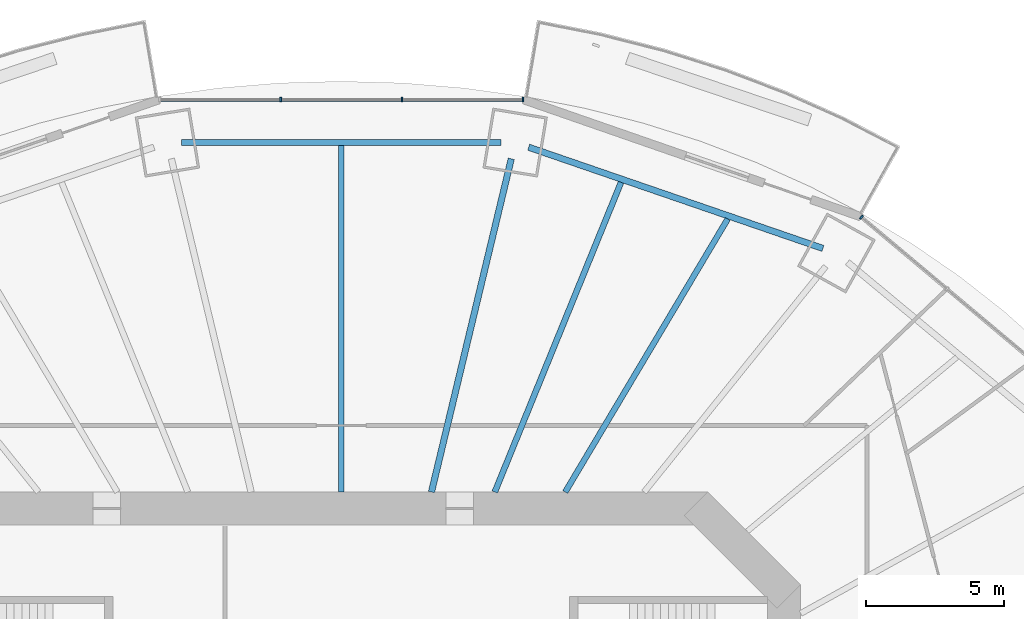
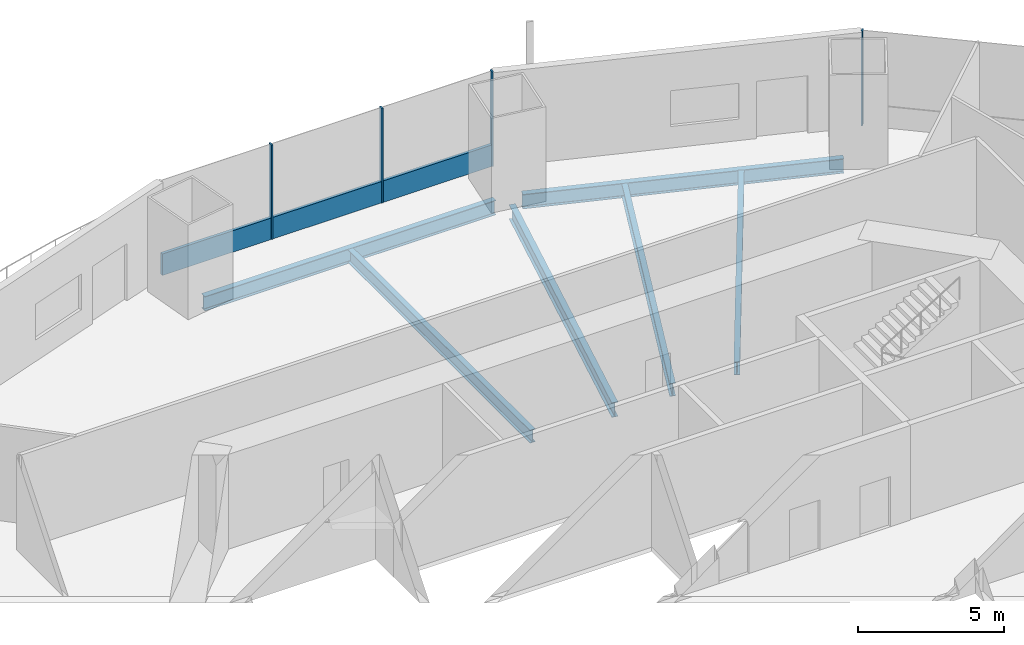
# One storey, part 9 of 21: 6 beams, 5 members, 2 elements without a shape of their own.
"""IFC4 building model written with IfcOpenShell, lengths in metres."""

from ifc_helpers import new_model, si_unit, direction, frame, origin, origin_2d, place, context, subcontext, project, spatial, rectangle, i_section, extrude, material, material_profile, profile_set, type_object, element, aggregate, save


model = new_model("IFC4")

# Units and contexts
model_context = context("Model", 3, precision=1e-05, world=origin(), true_north=direction((0.0, 1.0)))
body_context = subcontext(model_context, "Body", "Model", "MODEL_VIEW")
ifc_project = project(units=[si_unit("LENGTHUNIT", "METRE"), si_unit("AREAUNIT", "SQUARE_METRE"), si_unit("VOLUMEUNIT", "CUBIC_METRE"), si_unit("PLANEANGLEUNIT", "RADIAN"), si_unit("MASSUNIT", "GRAM", prefix="KILO")], contexts=[model_context])

# Site, building, storey
site_placement = place(None, origin())
site = spatial("IfcSite", under=ifc_project, at=site_placement, CompositionType="ELEMENT")
building_placement = place(site_placement, origin())
building = spatial("IfcBuilding", under=site, at=building_placement, Name="Marenthal Gate Tower", CompositionType="ELEMENT")
storey_placement = place(building_placement, frame((0.0, 0.0, 124.300048828125)))
storey = spatial("IfcBuildingStorey", under=building, at=storey_placement, Name="L26", CompositionType="ELEMENT", Elevation=124.300048828125)

# Curtain wall, member
ifc_material_1 = material(Name="Aluminium and glass", Category="aluminium")
curtain_wall_type = type_object("IfcCurtainWallType", Name="Curtain wall typical low", PredefinedType="NOTDEFINED", material=ifc_material_1)
curtain_wall_1_placement = place(storey_placement, origin())
curtain_wall_1 = element("IfcCurtainWall", 1, at=curtain_wall_1_placement, inside=storey, type_object=curtain_wall_type, Name="Curtain wall L26 bay 2", PredefinedType="NOTDEFINED")
ifc_material_2 = material(Name="Aluminium", Category="aluminium")
ifc_material_profile_1 = material_profile(ifc_material_2, rectangle(XDim=0.159912109375, YDim=0.06005859375, at=origin_2d()), Name="60x160 aluminium mullion")
ifc_profile_set_1 = profile_set([ifc_material_profile_1], Name="Aluminium")
member_type_1 = type_object("IfcMemberType", Name="Mullion 60x160 typical low", PredefinedType="MULLION", material=ifc_profile_set_1)
member_1_placement = place(storey_placement, frame((18.79248046875, 23.529541015625, 0.0), z_axis=(0.0, 0.0, 1.0), x_axis=(-0.642437868504, -0.766337774817, 0.0)))
member_1 = element("IfcMember", 2, at=member_1_placement, type_object=member_type_1, Name="Mullion L26 bay 2.4", PredefinedType="MULLION", context=body_context, shape_type="SweptSolid", body=[
    extrude(rectangle(XDim=0.159912109375, YDim=0.06005859375, at=origin_2d()), origin(), (0.0, 0.0, 1.0), 3.969970703125),
])
aggregate(curtain_wall_1, [member_1])

# Curtain wall, members
curtain_wall_2_placement = place(storey_placement, origin())
curtain_wall_2 = element("IfcCurtainWall", 3, at=curtain_wall_2_placement, inside=storey, type_object=curtain_wall_type, Name="Curtain wall L26 bay 4", PredefinedType="NOTDEFINED")
member_2_placement = place(storey_placement, frame((6.560791015625, 27.77783203125, 0.0), z_axis=(0.0, 0.0, 1.0), x_axis=(0.0, -1.0, 0.0)))
member_2 = element("IfcMember", 4, at=member_2_placement, type_object=member_type_1, Name="Mullion L26 bay 4.1", PredefinedType="MULLION", context=body_context, shape_type="SweptSolid", body=[
    extrude(rectangle(XDim=0.159912109375, YDim=0.06005859375, at=origin_2d()), origin(), (0.0, 0.0, 1.0), 3.969970703125),
])
member_3_placement = place(storey_placement, frame((2.18701171875, 27.77783203125, 0.0), z_axis=(0.0, 0.0, 1.0), x_axis=(0.0, -1.0, 0.0)))
member_3 = element("IfcMember", 5, at=member_3_placement, type_object=member_type_1, Name="Mullion L26 bay 4.2", PredefinedType="MULLION", context=body_context, shape_type="SweptSolid", body=[
    extrude(rectangle(XDim=0.159912109375, YDim=0.06005859375, at=origin_2d()), origin(), (0.0, 0.0, 1.0), 3.969970703125),
])
member_4_placement = place(storey_placement, frame((-2.18701171875, 27.77783203125, 0.0), z_axis=(0.0, 0.0, 1.0), x_axis=(0.0, -1.0, 0.0)))
member_4 = element("IfcMember", 6, at=member_4_placement, type_object=member_type_1, Name="Mullion L26 bay 4.3", PredefinedType="MULLION", context=body_context, shape_type="SweptSolid", body=[
    extrude(rectangle(XDim=0.159912109375, YDim=0.06005859375, at=origin_2d()), origin(), (0.0, 0.0, 1.0), 3.969970703125),
])
ifc_material_3 = material(Name="Aluminium", Category="aluminium")
ifc_material_profile_2 = material_profile(ifc_material_3, rectangle(XDim=0.1201171875, YDim=0.89990234375, at=origin_2d()), Name="120x900 aluminium transom")
ifc_profile_set_2 = profile_set([ifc_material_profile_2], Name="Aluminium")
member_type_2 = type_object("IfcMemberType", Name="Transom 120x900 typical low", PredefinedType="USERDEFINED", material=ifc_profile_set_2)
member_5_placement = place(storey_placement, frame((6.531005859375, 27.77783203125, 0.449951171875), z_axis=(-1.0, 0.0, 0.0), x_axis=(0.0, -1.0, 0.0)))
member_5 = element("IfcMember", 7, at=member_5_placement, type_object=member_type_2, Name="Transom L26 bay 4", ObjectType="TRANSOM", PredefinedType="USERDEFINED", context=body_context, shape_type="SweptSolid", body=[
    extrude(rectangle(XDim=0.1201171875, YDim=0.89990234375, at=origin_2d()), origin(), (0.0, 0.0, 1.0), 13.06201171875),
])
aggregate(curtain_wall_2, [member_2, member_3, member_4, member_5])

# Beams
ifc_material_4 = material(Name="Steel S355", Category="steel")
ifc_material_profile_3 = material_profile(ifc_material_4, i_section(OverallWidth=0.2099609375, OverallDepth=0.535888671875, WebThickness=0.010986328125, FlangeThickness=0.017333984375, FilletRadius=0.0126953125, at=origin_2d()), Name="W530X101")
ifc_profile_set_3 = profile_set([ifc_material_profile_3], Name="Steel S355")
beam_type_1 = type_object("IfcBeamType", Name="W530X101 beam", PredefinedType="BEAM", material=ifc_profile_set_3)
beam_1_placement = place(storey_placement, frame((13.962158203125, 23.4658203125, -0.447998046875), z_axis=(-0.51133355271, -0.859382335095, 0.0), x_axis=(0.859382335095, -0.51133355271, 0.0)))
element("IfcBeam", 8, at=beam_1_placement, inside=storey, type_object=beam_type_1, Name="BM-L26-20", PredefinedType="BEAM", context=body_context, shape_type="SweptSolid", body=[
    extrude(i_section(OverallWidth=0.2099609375, OverallDepth=0.535888671875, WebThickness=0.010986328125, FlangeThickness=0.017333984375, FilletRadius=0.0126953125, at=origin_2d()), origin(), (0.0, 0.0, 1.0), 11.47998046875),
])
ifc_material_5 = material(Name="Steel S355", Category="steel")
ifc_material_profile_4 = material_profile(ifc_material_5, i_section(OverallWidth=0.2119140625, OverallDepth=0.5439453125, WebThickness=0.01318359375, FlangeThickness=0.021240234375, FilletRadius=0.0126953125, at=origin_2d()), Name="W530X123")
ifc_profile_set_4 = profile_set([ifc_material_profile_4], Name="Steel S355")
beam_type_2 = type_object("IfcBeamType", Name="W530X123 beam", PredefinedType="BEAM", material=ifc_profile_set_4)
beam_2_placement = place(storey_placement, frame((10.10888671875, 24.791015625, -0.4521484375), z_axis=(-0.377578568114, -0.92597755097, 0.0), x_axis=(0.92597755097, -0.377578568114, 0.0)))
element("IfcBeam", 9, at=beam_2_placement, inside=storey, type_object=beam_type_2, Name="BM-L26-21", PredefinedType="BEAM", context=body_context, shape_type="SweptSolid", body=[
    extrude(i_section(OverallWidth=0.2119140625, OverallDepth=0.5439453125, WebThickness=0.01318359375, FlangeThickness=0.021240234375, FilletRadius=0.0126953125, at=origin_2d()), origin(), (0.0, 0.0, 1.0), 12.08544921875),
])
beam_3_placement = place(storey_placement, frame((0.0, 26.11376953125, -0.4521484375), z_axis=(0.0, -1.0, 0.0), x_axis=(1.0, 0.0, 0.0)))
element("IfcBeam", 10, at=beam_3_placement, inside=storey, type_object=beam_type_2, Name="BM-L26-22", PredefinedType="BEAM", context=body_context, shape_type="SweptSolid", body=[
    extrude(i_section(OverallWidth=0.2119140625, OverallDepth=0.5439453125, WebThickness=0.01318359375, FlangeThickness=0.021240234375, FilletRadius=0.0126953125, at=origin_2d()), origin(), (0.0, 0.0, 1.0), 12.513671875),
])
ifc_material_6 = material(Name="Steel S355", Category="steel")
ifc_material_profile_5 = material_profile(ifc_material_6, i_section(OverallWidth=0.22900390625, OverallDepth=0.612060546875, WebThickness=0.011962890625, FlangeThickness=0.01953125, FilletRadius=0.0126953125, at=origin_2d()), Name="W610X125")
ifc_profile_set_5 = profile_set([ifc_material_profile_5], Name="Steel S355")
beam_type_3 = type_object("IfcBeamType", Name="W610X125 beam", PredefinedType="BEAM", material=ifc_profile_set_5)
beam_4_placement = place(storey_placement, frame((6.142333984375, 25.641845703125, -0.486083984375), z_axis=(-0.232953092767, -0.972487972455, 0.0), x_axis=(0.972487972455, -0.232953092767, 0.0)))
element("IfcBeam", 11, at=beam_4_placement, inside=storey, type_object=beam_type_3, Name="BM-L26-04", PredefinedType="BEAM", context=body_context, shape_type="SweptSolid", body=[
    extrude(i_section(OverallWidth=0.22900390625, OverallDepth=0.612060546875, WebThickness=0.011962890625, FlangeThickness=0.01953125, FilletRadius=0.0126953125, at=origin_2d()), origin(), (0.0, 0.0, 1.0), 12.38232421875),
])
beam_5_placement = place(storey_placement, frame((17.404052734375, 22.40283203125, -0.486083984375), z_axis=(-0.945627146872, 0.325252669626, 0.0), x_axis=(-0.325252669626, -0.945627146872, 0.0)))
element("IfcBeam", 12, at=beam_5_placement, inside=storey, type_object=beam_type_3, Name="BM-L26-43", PredefinedType="BEAM", context=body_context, shape_type="SweptSolid", body=[
    extrude(i_section(OverallWidth=0.22900390625, OverallDepth=0.612060546875, WebThickness=0.011962890625, FlangeThickness=0.01953125, FilletRadius=0.0126953125, at=origin_2d()), origin(), (0.0, 0.0, 1.0), 11.24658203125),
])
beam_6_placement = place(storey_placement, frame((5.769287109375, 26.228271484375, -0.486083984375), z_axis=(-1.0, 0.0, 0.0), x_axis=(0.0, -1.0, 0.0)))
element("IfcBeam", 13, at=beam_6_placement, inside=storey, type_object=beam_type_3, Name="BM-L26-44", PredefinedType="BEAM", context=body_context, shape_type="SweptSolid", body=[
    extrude(i_section(OverallWidth=0.22900390625, OverallDepth=0.612060546875, WebThickness=0.011962890625, FlangeThickness=0.01953125, FilletRadius=0.0126953125, at=origin_2d()), origin(), (0.0, 0.0, 1.0), 11.53857421875),
])

save(model, "model.ifc")
